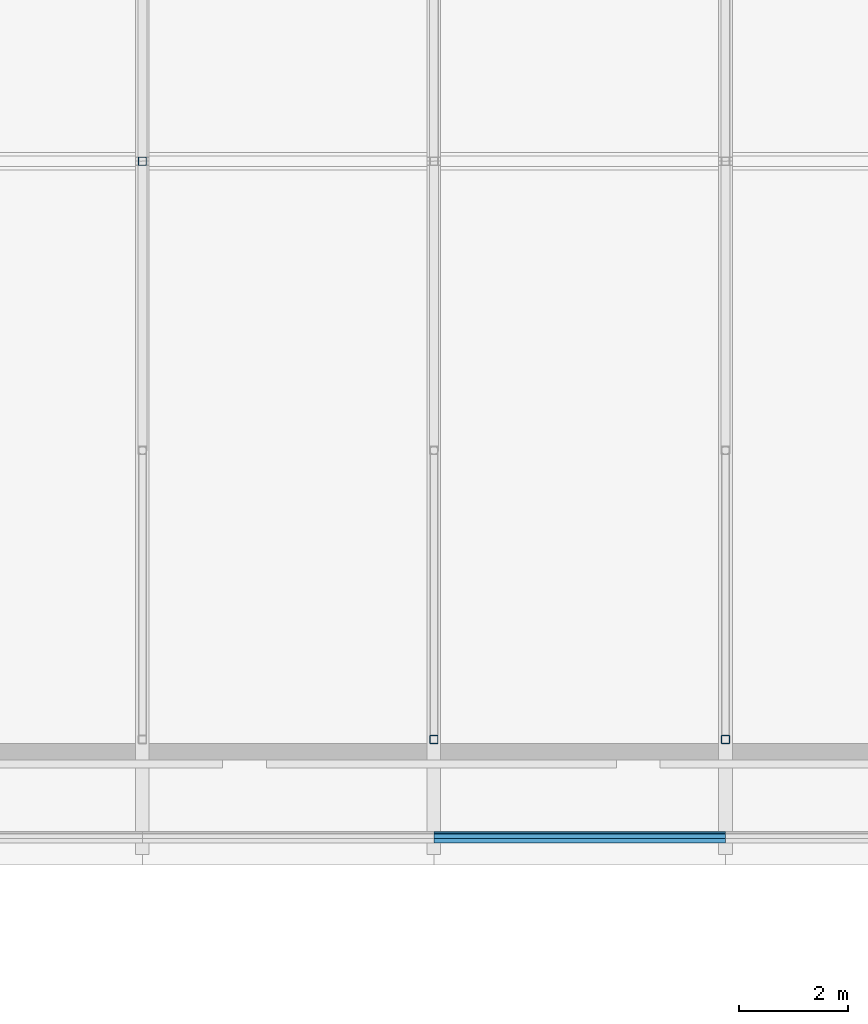
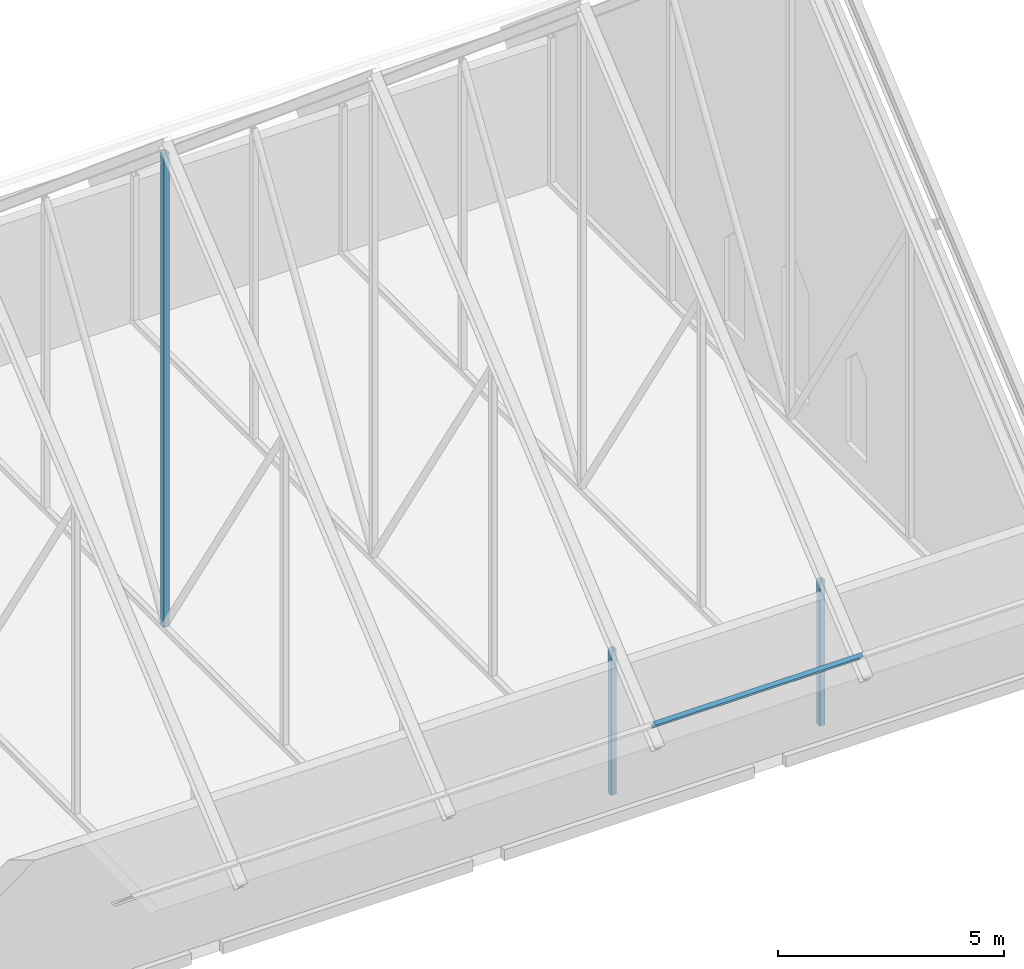
# One storey, part 7 of 29: 4 members.
"""IFC4 building model written with IfcOpenShell, lengths in metres."""

from ifc_helpers import new_model, si_unit, direction, frame, origin, origin_2d, place, context, subcontext, project, spatial, hollow_rectangle, i_section, extrude, material, material_profile, profile_set, type_object, element, save


model = new_model("IFC4")

# Units and contexts
model_context = context("Model", 3, precision=1e-05, world=origin(), true_north=direction((0.0, 1.0)))
body_context = subcontext(model_context, "Body", "Model", "MODEL_VIEW")
ifc_project = project(units=[si_unit("LENGTHUNIT", "METRE"), si_unit("AREAUNIT", "SQUARE_METRE"), si_unit("VOLUMEUNIT", "CUBIC_METRE"), si_unit("PLANEANGLEUNIT", "RADIAN"), si_unit("MASSUNIT", "GRAM", prefix="KILO")], contexts=[model_context])

# Site, building, storey
site_placement = place(None, origin())
site = spatial("IfcSite", under=ifc_project, at=site_placement, CompositionType="ELEMENT")
building_placement = place(site_placement, origin())
building = spatial("IfcBuilding", under=site, at=building_placement, Name="Silangan Lancet Faculty of Sciences", CompositionType="ELEMENT")
storey_placement = place(building_placement, frame((0.0, 0.0, 54.300048828125)))
storey = spatial("IfcBuildingStorey", under=building, at=storey_placement, Name="L11", CompositionType="ELEMENT", Elevation=54.300048828125)

# Members
ifc_material_1 = material(Name="Steel SS400", Category="steel")
ifc_material_profile_1 = material_profile(ifc_material_1, i_section(OverallWidth=0.10009765625, OverallDepth=0.199951171875, WebThickness=0.005615234375, FlangeThickness=0.008056640625, FilletRadius=0.008056640625, at=origin_2d()), Name="H 200x100x5.5x8")
ifc_profile_set_1 = profile_set([ifc_material_profile_1], Name="Steel SS400")
member_type_1 = type_object("IfcMemberType", Name="Sheeting purlin H 200x100x5.5x8", PredefinedType="PURLIN", material=ifc_profile_set_1)
member_1_placement = place(storey_placement, frame((17.862548828125, 34.43798828125, 3.071044921875), z_axis=(1.0, 0.0, 0.0), x_axis=(0.0, 0.765704867842, 0.64319208279)))
element("IfcMember", 1, at=member_1_placement, inside=storey, type_object=member_type_1, Name="Gable purlin 4S1", PredefinedType="PURLIN", context=body_context, shape_type="SweptSolid", body=[
    extrude(i_section(OverallWidth=0.10009765625, OverallDepth=0.199951171875, WebThickness=0.005615234375, FlangeThickness=0.008056640625, FilletRadius=0.008056640625, at=origin_2d()), origin(), (0.0, 0.0, 1.0), 5.331298828125),
])
ifc_material_2 = material(Name="Steel STKR400", Category="steel")
ifc_material_profile_2 = material_profile(ifc_material_2, hollow_rectangle(XDim=0.14990234375, YDim=0.14990234375, WallThickness=0.006103515625, InnerFilletRadius=0.006103515625, OuterFilletRadius=0.011962890625, at=origin_2d()), Name="SHS 150x150x6.0")
ifc_profile_set_2 = profile_set([ifc_material_profile_2], Name="Steel STKR400")
member_type_2 = type_object("IfcMemberType", Name="Truss post SHS 150x150x6.0", PredefinedType="POST", material=ifc_profile_set_2)
member_2_placement = place(storey_placement, frame((12.53125, 46.800048828125, 0.14990234375), z_axis=(0.0, 0.0, 1.0), x_axis=(1.0, 0.0, 0.0)))
element("IfcMember", 2, at=member_2_placement, inside=storey, type_object=member_type_2, Name="Gable truss 2 king post", PredefinedType="POST", context=body_context, shape_type="SweptSolid", body=[
    extrude(hollow_rectangle(XDim=0.14990234375, YDim=0.14990234375, WallThickness=0.006103515625, InnerFilletRadius=0.006103515625, OuterFilletRadius=0.011962890625, at=origin_2d()), origin(), (0.0, 0.0, 1.0), 12.78515625),
])
for number, where, z_axis, x_axis, name in (
    (3, (17.862548828125, 36.22509765625, 0.14990234375), (0.0, 0.0, 1.0), (1.0, 0.0, 0.0), "Gable truss 3 eave post S"),
    (4, (23.19384765625, 36.22509765625, 0.14990234375), (0.0, 0.0, 1.0), (1.0, 0.0, 0.0), "Gable truss 4 eave post S"),
):
    element("IfcMember", number, at=place(storey_placement, frame(where, z_axis=z_axis, x_axis=x_axis)), inside=storey, type_object=member_type_2, Name=name, PredefinedType="POST", context=body_context, shape_type="SweptSolid", body=[
        extrude(hollow_rectangle(XDim=0.14990234375, YDim=0.14990234375, WallThickness=0.006103515625, InnerFilletRadius=0.006103515625, OuterFilletRadius=0.011962890625, at=origin_2d()), origin(), (0.0, 0.0, 1.0), 3.902099609375),
    ])

save(model, "model.ifc")
